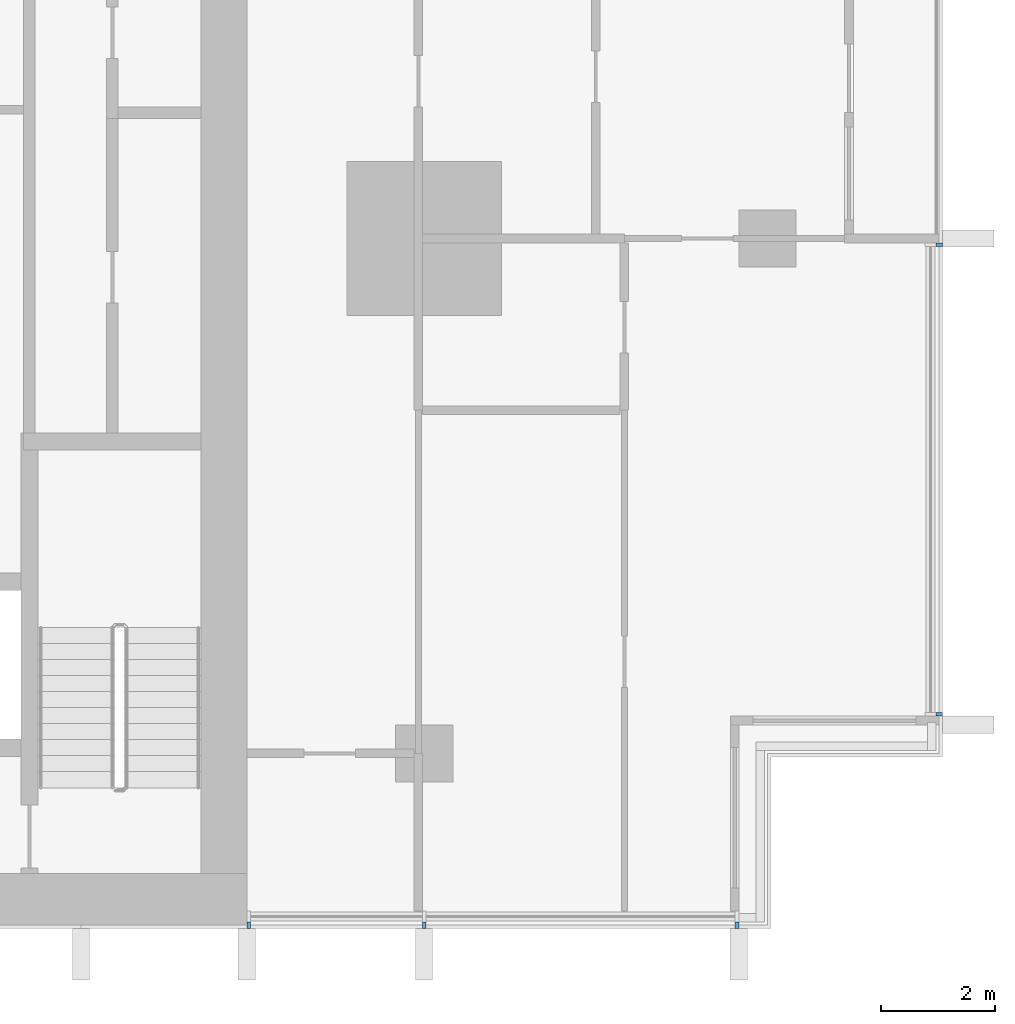
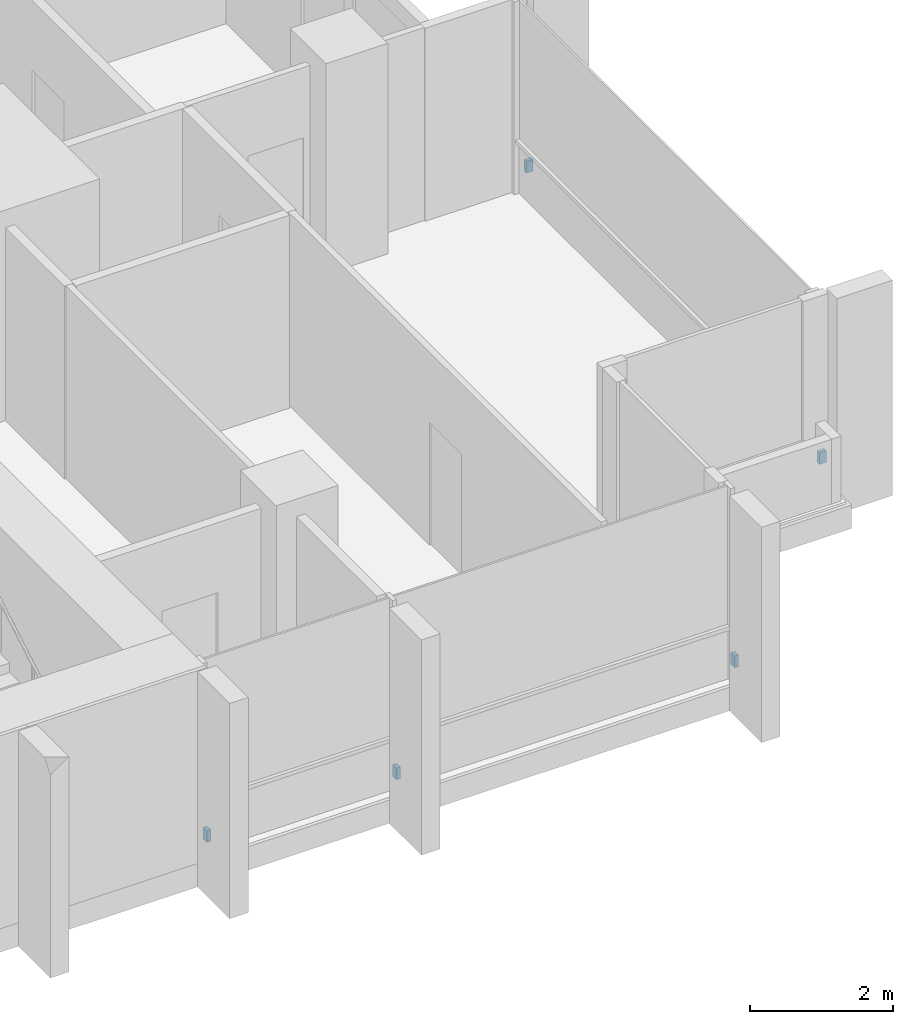
# One storey, part 15 of 19: 5 discrete accessories.
"""IFC4 building model written with IfcOpenShell, lengths in metres."""

from ifc_helpers import new_model, si_unit, direction, frame, origin, origin_2d, place, context, subcontext, project, spatial, rectangle, extrude, material, type_object, element, save


model = new_model("IFC4")

# Units and contexts
model_context = context("Model", 3, precision=1e-05, world=origin(), true_north=direction((0.0, 1.0)))
body_context = subcontext(model_context, "Body", "Model", "MODEL_VIEW")
ifc_project = project(units=[si_unit("LENGTHUNIT", "METRE"), si_unit("AREAUNIT", "SQUARE_METRE"), si_unit("VOLUMEUNIT", "CUBIC_METRE"), si_unit("PLANEANGLEUNIT", "RADIAN"), si_unit("MASSUNIT", "GRAM", prefix="KILO")], contexts=[model_context])

# Site, building, storey
site_placement = place(None, origin())
site = spatial("IfcSite", under=ifc_project, at=site_placement, CompositionType="ELEMENT")
building_placement = place(site_placement, origin())
building = spatial("IfcBuilding", under=site, at=building_placement, Name="Finial Court Residences", CompositionType="ELEMENT")
storey_placement = place(building_placement, frame((0.0, 0.0, 81.10009765625)))
storey = spatial("IfcBuildingStorey", under=building, at=storey_placement, Name="L19", CompositionType="ELEMENT", Elevation=81.10009765625)

# Discrete accessories
ifc_material = material(Name="Stainless steel 316", Category="steel")
discrete_accessory_type = type_object("IfcDiscreteAccessoryType", Name="Fin bracket, stainless steel 65 x 110 x 200", PredefinedType="BRACKET", material=ifc_material)
for number, where, z_axis, x_axis, name in (
    (1, (25.5048828125, -21.8173828125, 0.2998046875), (0.0, 0.0, 1.0), (1.0, 0.0, 0.0), "E-L19-FIN-E9-BRK"),
    (2, (25.5048828125, -13.607421875, 0.2998046875), (0.0, 0.0, 1.0), (1.0, 0.0, 0.0), "E-L19-FIN-E10-BRK"),
):
    element("IfcDiscreteAccessory", number, at=place(storey_placement, frame(where, z_axis=z_axis, x_axis=x_axis)), inside=storey, type_object=discrete_accessory_type, Name=name, PredefinedType="BRACKET", context=body_context, shape_type="SweptSolid", body=[
        extrude(rectangle(XDim=0.110107421875, YDim=0.06494140625, at=origin_2d()), origin(), (0.0, 0.0, 1.0), 0.199951171875),
    ])
for number, where, z_axis, x_axis, name in (
    (3, (13.4326171875, -25.5048828125, 0.2998046875), (0.0, 0.0, 1.0), (1.0, 0.0, 0.0), "E-L19-FIN-S23-BRK"),
    (4, (16.5, -25.5048828125, 0.2998046875), (0.0, 0.0, 1.0), (1.0, 0.0, 0.0), "E-L19-FIN-S24-BRK"),
    (5, (21.967529296875, -25.5048828125, 0.2998046875), (0.0, 0.0, 1.0), (1.0, 0.0, 0.0), "E-L19-FIN-S25-BRK"),
):
    element("IfcDiscreteAccessory", number, at=place(storey_placement, frame(where, z_axis=z_axis, x_axis=x_axis)), inside=storey, type_object=discrete_accessory_type, Name=name, PredefinedType="BRACKET", context=body_context, shape_type="SweptSolid", body=[
        extrude(rectangle(XDim=0.06494140625, YDim=0.110107421875, at=origin_2d()), origin(), (0.0, 0.0, 1.0), 0.199951171875),
    ])

save(model, "model.ifc")
